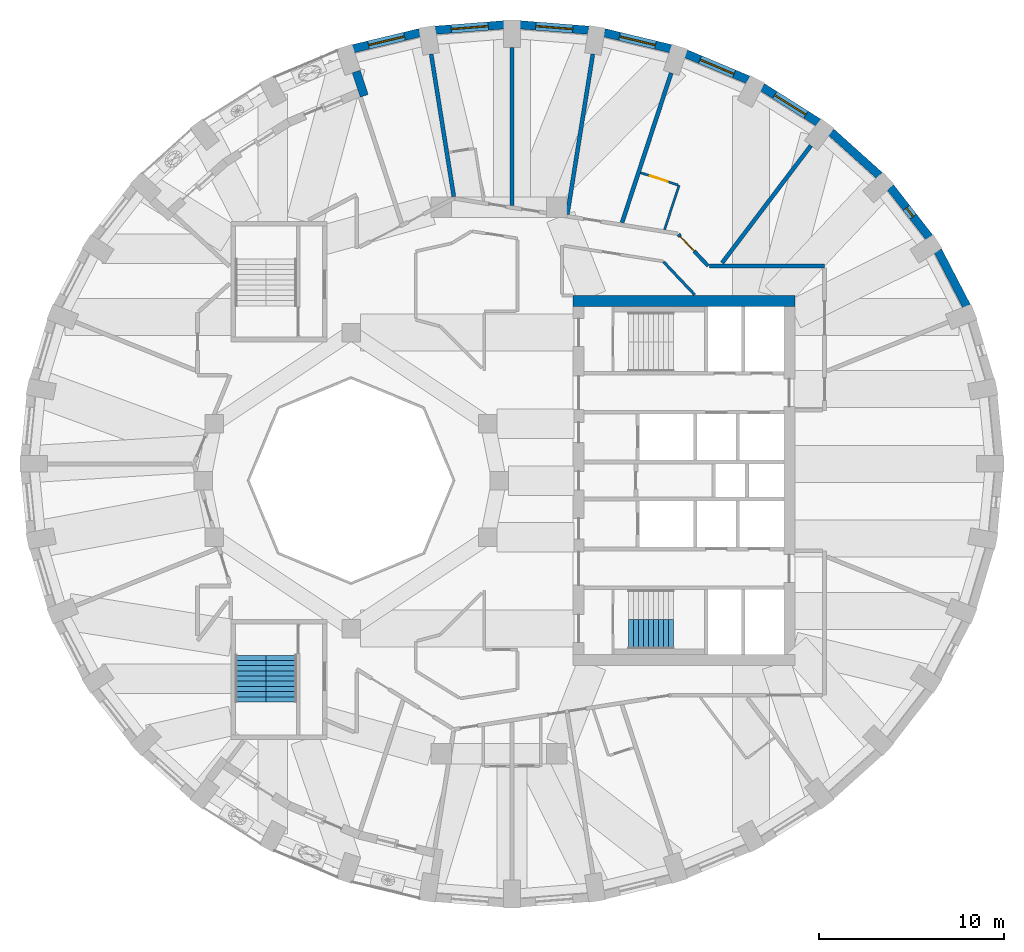
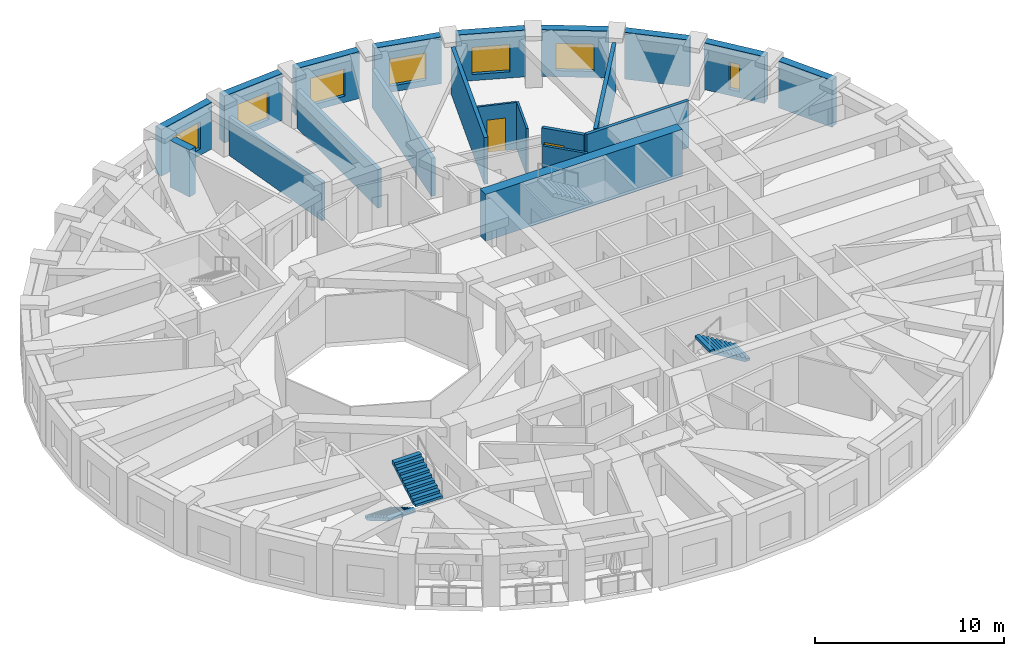
# One storey, part 8 of 12: 21 walls, 7 windows, 3 stair flights, 2 doors, 9 openings, 2 elements without a shape of their own.
"""IFC4 building model written with IfcOpenShell, lengths in metres."""

from ifc_helpers import new_model, si_unit, direction, frame, frame_2d, origin, place, context, subcontext, project, spatial, polyline, rectangle, outline, extrude, material, layer, layer_set, type_object, element, fill, aggregate, save


model = new_model("IFC4")

# Units and contexts
model_context = context("Model", 3, precision=1e-05, world=origin(), true_north=direction((0.0, 1.0)))
body_context = subcontext(model_context, "Body", "Model", "MODEL_VIEW")
ifc_project = project(units=[si_unit("LENGTHUNIT", "METRE"), si_unit("AREAUNIT", "SQUARE_METRE"), si_unit("VOLUMEUNIT", "CUBIC_METRE"), si_unit("PLANEANGLEUNIT", "RADIAN"), si_unit("MASSUNIT", "GRAM", prefix="KILO")], contexts=[model_context])

# Site, building, storey
site_placement = place(None, origin())
site = spatial("IfcSite", under=ifc_project, at=site_placement, CompositionType="ELEMENT")
building_placement = place(site_placement, origin())
building = spatial("IfcBuilding", under=site, at=building_placement, Name="Taillehof Tower", CompositionType="ELEMENT")
storey_placement = place(building_placement, frame((0.0, 0.0, 209.0)))
storey = spatial("IfcBuildingStorey", under=building, at=storey_placement, Name="L59", CompositionType="ELEMENT", Elevation=209.0)

# Wall
ifc_material_1 = material(Name="Brick masonry", Category="masonry")
ifc_layer_1 = layer(ifc_material_1, 0.449951171875)
ifc_layer_set_1 = layer_set([ifc_layer_1], Name="Brick infill wall 450")
wall_type_1 = type_object("IfcWallType", Name="Brick infill wall 450", PredefinedType="SOLIDWALL", material=ifc_layer_set_1)
wall_1_placement = place(storey_placement, frame((25.278076171875, 9.431640625, 0.0), z_axis=(0.0, 0.0, 1.0), x_axis=(-0.460175500475, 0.887827972505, 0.0)))
element("IfcWall", 1, at=wall_1_placement, inside=storey, type_object=wall_type_1, Name="Brick wall L59 bay 3", PredefinedType="SOLIDWALL", context=body_context, shape_type="SweptSolid", body=[
    extrude(rectangle(XDim=3.37060546875, YDim=0.449951171875, at=frame_2d((1.685302734375, 0.0))), origin(), (0.0, 0.0, 1.0), 3.02001953125),
])

# Wall, opening, window
wall_2_placement = place(storey_placement, frame((23.262939453125, 13.148193359375, 0.0), z_axis=(0.0, 0.0, 1.0), x_axis=(-0.614220816451, 0.789134201919, 0.0)))
wall_2 = element("IfcWall", 2, at=wall_2_placement, inside=storey, type_object=wall_type_1, Name="Brick wall L59 bay 4", PredefinedType="SOLIDWALL", context=body_context, shape_type="SweptSolid", body=[
    extrude(rectangle(XDim=3.437744140625, YDim=0.449951171875, at=frame_2d((1.71875, 0.0))), origin(), (0.0, 0.0, 1.0), 3.02001953125),
])
opening_1_placement = place(wall_2_placement, frame((1.4189453125, 0.0, 0.39990234375)))
opening_1 = element("IfcOpeningElement", 3, at=opening_1_placement, cuts=wall_2, Name="Opening W6", PredefinedType="OPENING", context=body_context, shape_type="SweptSolid", body=[
    extrude(rectangle(XDim=0.60009765625, YDim=1.75, at=frame_2d((0.300048828125, 0.875))), frame((0.0, 0.23486328125, 0.0), z_axis=(0.0, -1.0, 0.0), x_axis=(1.0, 0.0, 0.0)), (0.0, 0.0, 1.0), 0.469970703125),
])
ifc_material_2 = material(Name="Aluminium window frame with clear double glazing", Category="aluminium")
window_type_1 = type_object("IfcWindowType", Name="Slot window 600x1750", PartitioningType="SINGLE_PANEL", PredefinedType="WINDOW", material=ifc_material_2)
window_1_placement = place(opening_1_placement, origin())
window_1 = element("IfcWindow", 4, at=window_1_placement, inside=storey, type_object=window_type_1, Name="W6", OverallHeight=1.75, OverallWidth=0.60009765625, PartitioningType="SINGLE_PANEL", PredefinedType="WINDOW", context=body_context, shape_type="SweptSolid", body=[
    extrude(rectangle(XDim=0.60009765625, YDim=1.75, at=frame_2d((0.300048828125, 0.875))), frame((0.0, 0.034912109375, 0.0), z_axis=(0.0, -1.0, 0.0), x_axis=(1.0, 0.0, 0.0)), (0.0, 0.0, 1.0), 0.06005859375),
])
fill(opening_1, window_1)

# Wall
wall_3_placement = place(storey_placement, frame((20.56494140625, 16.490478515625, 0.0), z_axis=(0.0, 0.0, 1.0), x_axis=(-0.743442727602, 0.668799604348, 0.0)))
element("IfcWall", 5, at=wall_3_placement, inside=storey, type_object=wall_type_1, Name="Brick wall L59 bay 5", PredefinedType="SOLIDWALL", context=body_context, shape_type="SweptSolid", body=[
    extrude(rectangle(XDim=3.5126953125, YDim=0.449951171875, at=frame_2d((1.75634765625, 0.0))), origin(), (0.0, 0.0, 1.0), 3.02001953125),
])

# Wall, opening, window
wall_4_placement = place(storey_placement, frame((17.26708984375, 19.3583984375, 0.0), z_axis=(0.0, 0.0, 1.0), x_axis=(-0.846119146727, 0.532993798783, 0.0)))
wall_4 = element("IfcWall", 6, at=wall_4_placement, inside=storey, type_object=wall_type_1, Name="Brick wall L59 bay 6", PredefinedType="SOLIDWALL", context=body_context, shape_type="SweptSolid", body=[
    extrude(rectangle(XDim=3.586669921875, YDim=0.449951171875, at=frame_2d((1.79345703125, 0.0))), origin(), (0.0, 0.0, 1.0), 3.02001953125),
])
opening_2_placement = place(wall_4_placement, frame((0.79345703125, 0.0, 0.39990234375)))
opening_2 = element("IfcOpeningElement", 7, at=opening_2_placement, cuts=wall_4, Name="Opening W2", PredefinedType="OPENING", context=body_context, shape_type="SweptSolid", body=[
    extrude(rectangle(XDim=2.0, YDim=1.75, at=frame_2d((1.0, 0.875))), frame((0.0, 0.23486328125, 0.0), z_axis=(0.0, -1.0, 0.0), x_axis=(1.0, 0.0, 0.0)), (0.0, 0.0, 1.0), 0.469970703125),
])
ifc_material_3 = material(Name="Aluminium window frame with clear double glazing", Category="aluminium")
window_type_2 = type_object("IfcWindowType", Name="Deep-set window 2000x1750", PartitioningType="SINGLE_PANEL", PredefinedType="WINDOW", material=ifc_material_3)
window_2_placement = place(opening_2_placement, origin())
window_2 = element("IfcWindow", 8, at=window_2_placement, inside=storey, type_object=window_type_2, Name="W2", OverallHeight=1.75, OverallWidth=2.0, PartitioningType="SINGLE_PANEL", PredefinedType="WINDOW", context=body_context, shape_type="SweptSolid", body=[
    extrude(rectangle(XDim=2.0, YDim=1.75, at=frame_2d((1.0, 0.875))), frame((0.0, 0.034912109375, 0.0), z_axis=(0.0, -1.0, 0.0), x_axis=(1.0, 0.0, 0.0)), (0.0, 0.0, 1.0), 0.06005859375),
])
fill(opening_2, window_2)

wall_5_placement = place(storey_placement, frame((13.46923828125, 21.6669921875, 0.0), z_axis=(0.0, 0.0, 1.0), x_axis=(-0.922168222612, 0.386789050006, 0.0)))
wall_5 = element("IfcWall", 9, at=wall_5_placement, inside=storey, type_object=wall_type_1, Name="Brick wall L59 bay 7", PredefinedType="SOLIDWALL", context=body_context, shape_type="SweptSolid", body=[
    extrude(rectangle(XDim=3.65087890625, YDim=0.449951171875, at=frame_2d((1.825439453125, 0.0))), origin(), (0.0, 0.0, 1.0), 3.02001953125),
])
opening_3_placement = place(wall_5_placement, frame((0.825439453125, 0.0, 0.39990234375)))
opening_3 = element("IfcOpeningElement", 10, at=opening_3_placement, cuts=wall_5, Name="Opening W2", PredefinedType="OPENING", context=body_context, shape_type="SweptSolid", body=[
    extrude(rectangle(XDim=2.0, YDim=1.75, at=frame_2d((1.0, 0.875))), frame((0.0, 0.23486328125, 0.0), z_axis=(0.0, -1.0, 0.0), x_axis=(1.0, 0.0, 0.0)), (0.0, 0.0, 1.0), 0.469970703125),
])
window_3_placement = place(opening_3_placement, origin())
window_3 = element("IfcWindow", 11, at=window_3_placement, inside=storey, type_object=window_type_2, Name="W2", OverallHeight=1.75, OverallWidth=2.0, PartitioningType="SINGLE_PANEL", PredefinedType="WINDOW", context=body_context, shape_type="SweptSolid", body=[
    extrude(rectangle(XDim=2.0, YDim=1.75, at=frame_2d((1.0, 0.875))), frame((0.0, 0.034912109375, 0.0), z_axis=(0.0, -1.0, 0.0), x_axis=(1.0, 0.0, 0.0)), (0.0, 0.0, 1.0), 0.06005859375),
])
fill(opening_3, window_3)

wall_6_placement = place(storey_placement, frame((9.285400390625, 23.34716796875, 0.0), z_axis=(0.0, 0.0, 1.0), x_axis=(-0.972173533246, 0.234261864708, 0.0)))
wall_6 = element("IfcWall", 12, at=wall_6_placement, inside=storey, type_object=wall_type_1, Name="Brick wall L59 bay 8", PredefinedType="SOLIDWALL", context=body_context, shape_type="SweptSolid", body=[
    extrude(rectangle(XDim=3.697509765625, YDim=0.449951171875, at=frame_2d((1.8486328125, 0.0))), origin(), (0.0, 0.0, 1.0), 3.02001953125),
])
opening_4_placement = place(wall_6_placement, frame((0.848876953125, 0.0, 0.39990234375)))
opening_4 = element("IfcOpeningElement", 13, at=opening_4_placement, cuts=wall_6, Name="Opening W2", PredefinedType="OPENING", context=body_context, shape_type="SweptSolid", body=[
    extrude(rectangle(XDim=2.0, YDim=1.75, at=frame_2d((1.0, 0.875))), frame((0.0, 0.23486328125, 0.0), z_axis=(0.0, -1.0, 0.0), x_axis=(1.0, 0.0, 0.0)), (0.0, 0.0, 1.0), 0.469970703125),
])
window_4_placement = place(opening_4_placement, origin())
window_4 = element("IfcWindow", 14, at=window_4_placement, inside=storey, type_object=window_type_2, Name="W2", OverallHeight=1.75, OverallWidth=2.0, PartitioningType="SINGLE_PANEL", PredefinedType="WINDOW", context=body_context, shape_type="SweptSolid", body=[
    extrude(rectangle(XDim=2.0, YDim=1.75, at=frame_2d((1.0, 0.875))), frame((0.0, 0.034912109375, 0.0), z_axis=(0.0, -1.0, 0.0), x_axis=(1.0, 0.0, 0.0)), (0.0, 0.0, 1.0), 0.06005859375),
])
fill(opening_4, window_4)

wall_7_placement = place(storey_placement, frame((4.841064453125, 24.348388671875, 0.0), z_axis=(0.0, 0.0, 1.0), x_axis=(-0.996918697878, 0.078441760701, 0.0)))
wall_7 = element("IfcWall", 15, at=wall_7_placement, inside=storey, type_object=wall_type_1, Name="Brick wall L59 bay 9", PredefinedType="SOLIDWALL", context=body_context, shape_type="SweptSolid", body=[
    extrude(rectangle(XDim=3.722412109375, YDim=0.449951171875, at=frame_2d((1.861328125, 0.0))), origin(), (0.0, 0.0, 1.0), 3.02001953125),
])
opening_5_placement = place(wall_7_placement, frame((0.861328125, 0.0, 0.39990234375)))
opening_5 = element("IfcOpeningElement", 16, at=opening_5_placement, cuts=wall_7, Name="Opening W2", PredefinedType="OPENING", context=body_context, shape_type="SweptSolid", body=[
    extrude(rectangle(XDim=2.0, YDim=1.75, at=frame_2d((1.0, 0.875))), frame((0.0, 0.23486328125, 0.0), z_axis=(0.0, -1.0, 0.0), x_axis=(1.0, 0.0, 0.0)), (0.0, 0.0, 1.0), 0.469970703125),
])
window_5_placement = place(opening_5_placement, origin())
window_5 = element("IfcWindow", 17, at=window_5_placement, inside=storey, type_object=window_type_2, Name="W2", OverallHeight=1.75, OverallWidth=2.0, PartitioningType="SINGLE_PANEL", PredefinedType="WINDOW", context=body_context, shape_type="SweptSolid", body=[
    extrude(rectangle(XDim=2.0, YDim=1.75, at=frame_2d((1.0, 0.875))), frame((0.0, 0.034912109375, 0.0), z_axis=(0.0, -1.0, 0.0), x_axis=(1.0, 0.0, 0.0)), (0.0, 0.0, 1.0), 0.06005859375),
])
fill(opening_5, window_5)

wall_8_placement = place(storey_placement, frame((0.27001953125, 24.640380859375, 0.0), z_axis=(0.0, 0.0, 1.0), x_axis=(-0.996919101401, -0.078436632148, 0.0)))
wall_8 = element("IfcWall", 18, at=wall_8_placement, inside=storey, type_object=wall_type_1, Name="Brick wall L59 bay 10", PredefinedType="SOLIDWALL", context=body_context, shape_type="SweptSolid", body=[
    extrude(rectangle(XDim=3.72265625, YDim=0.449951171875, at=frame_2d((1.861328125, 0.0))), origin(), (0.0, 0.0, 1.0), 3.02001953125),
])
opening_6_placement = place(wall_8_placement, frame((0.861328125, 0.0, 0.39990234375)))
opening_6 = element("IfcOpeningElement", 19, at=opening_6_placement, cuts=wall_8, Name="Opening W2", PredefinedType="OPENING", context=body_context, shape_type="SweptSolid", body=[
    extrude(rectangle(XDim=2.0, YDim=1.75, at=frame_2d((1.0, 0.875))), frame((0.0, 0.23486328125, 0.0), z_axis=(0.0, -1.0, 0.0), x_axis=(1.0, 0.0, 0.0)), (0.0, 0.0, 1.0), 0.469970703125),
])
window_6_placement = place(opening_6_placement, origin())
window_6 = element("IfcWindow", 20, at=window_6_placement, inside=storey, type_object=window_type_2, Name="W2", OverallHeight=1.75, OverallWidth=2.0, PartitioningType="SINGLE_PANEL", PredefinedType="WINDOW", context=body_context, shape_type="SweptSolid", body=[
    extrude(rectangle(XDim=2.0, YDim=1.75, at=frame_2d((1.0, 0.875))), frame((0.0, 0.034912109375, 0.0), z_axis=(0.0, -1.0, 0.0), x_axis=(1.0, 0.0, 0.0)), (0.0, 0.0, 1.0), 0.06005859375),
])
fill(opening_6, window_6)

wall_9_placement = place(storey_placement, frame((-4.29052734375, 24.21337890625, 0.0), z_axis=(0.0, 0.0, 1.0), x_axis=(-0.972173533246, -0.234261864708, 0.0)))
wall_9 = element("IfcWall", 21, at=wall_9_placement, inside=storey, type_object=wall_type_1, Name="Brick wall L59 bay 11", PredefinedType="SOLIDWALL", context=body_context, shape_type="SweptSolid", body=[
    extrude(rectangle(XDim=3.697509765625, YDim=0.449951171875, at=frame_2d((1.8486328125, 0.0))), origin(), (0.0, 0.0, 1.0), 3.02001953125),
])
opening_7_placement = place(wall_9_placement, frame((0.848876953125, 0.0, 0.39990234375)))
opening_7 = element("IfcOpeningElement", 22, at=opening_7_placement, cuts=wall_9, Name="Opening W2", PredefinedType="OPENING", context=body_context, shape_type="SweptSolid", body=[
    extrude(rectangle(XDim=2.0, YDim=1.75, at=frame_2d((1.0, 0.875))), frame((0.0, 0.23486328125, 0.0), z_axis=(0.0, -1.0, 0.0), x_axis=(1.0, 0.0, 0.0)), (0.0, 0.0, 1.0), 0.469970703125),
])
window_7_placement = place(opening_7_placement, origin())
window_7 = element("IfcWindow", 23, at=window_7_placement, inside=storey, type_object=window_type_2, Name="W2", OverallHeight=1.75, OverallWidth=2.0, PartitioningType="SINGLE_PANEL", PredefinedType="WINDOW", context=body_context, shape_type="SweptSolid", body=[
    extrude(rectangle(XDim=2.0, YDim=1.75, at=frame_2d((1.0, 0.875))), frame((0.0, 0.034912109375, 0.0), z_axis=(0.0, -1.0, 0.0), x_axis=(1.0, 0.0, 0.0)), (0.0, 0.0, 1.0), 0.06005859375),
])
fill(opening_7, window_7)

# Wall
wall_10_placement = place(storey_placement, frame((-7.722412109375, 22.116943359375, 0.0), z_axis=(0.0, 0.0, 1.0), x_axis=(0.312062715826, -0.950061504005, 0.0)))
element("IfcWall", 24, at=wall_10_placement, inside=storey, type_object=wall_type_1, Name="Brick reveal L59 pocket 3", PredefinedType="SOLIDWALL", context=body_context, shape_type="SweptSolid", body=[
    extrude(rectangle(XDim=1.39013671875, YDim=0.449951171875, at=frame_2d((0.695068359375, 0.0))), origin(), (0.0, 0.0, 1.0), 3.02001953125),
])

# Wall, opening, door
ifc_material_4 = material(Name="Gypsum board on steel studs, two layers each side", Category="steel")
ifc_layer_2 = layer(ifc_material_4, 0.199951171875)
ifc_layer_set_2 = layer_set([ifc_layer_2], Name="Compartment wall corridor 200")
wall_type_2 = type_object("IfcWallType", Name="Compartment wall corridor 200", PredefinedType="PARTITIONING", material=ifc_layer_set_2)
wall_11_placement = place(storey_placement, frame((9.6982421875, 13.303955078125, 0.0), z_axis=(0.0, 0.0, 1.0), x_axis=(0.686553169295, -0.727079600684, 0.0)))
wall_11 = element("IfcWall", 25, at=wall_11_placement, inside=storey, type_object=wall_type_2, Name="Compartment wall", PredefinedType="PARTITIONING", context=body_context, shape_type="SweptSolid", body=[
    extrude(rectangle(XDim=2.343505859375, YDim=0.199951171875, at=frame_2d((1.171875, 0.0))), origin(), (0.0, 0.0, 1.0), 3.02001953125),
])
opening_8_placement = place(wall_11_placement, frame((0.139892578125, 0.0, 0.0)))
opening_8 = element("IfcOpeningElement", 26, at=opening_8_placement, cuts=wall_11, Name="Opening D5940", PredefinedType="OPENING", context=body_context, shape_type="SweptSolid", body=[
    extrude(rectangle(XDim=1.10009765625, YDim=2.10009765625, at=frame_2d((0.550048828125, 1.050048828125))), frame((0.0, 0.10986328125, 0.0), z_axis=(0.0, -1.0, 0.0), x_axis=(1.0, 0.0, 0.0)), (0.0, 0.0, 1.0), 0.219970703125),
])
ifc_material_5 = material(Name="Timber door leaf in steel frame", Category="steel")
door_type_1 = type_object("IfcDoorType", Name="Accessible guest room door EI 30 1100 x 2100", OperationType="SINGLE_SWING_LEFT", PredefinedType="DOOR", material=ifc_material_5)
door_1_placement = place(opening_8_placement, origin())
door_1 = element("IfcDoor", 27, at=door_1_placement, inside=storey, type_object=door_type_1, Name="D5940", OperationType="SINGLE_SWING_RIGHT", OverallHeight=2.10009765625, OverallWidth=1.10009765625, PredefinedType="DOOR", context=body_context, shape_type="SweptSolid", body=[
    extrude(rectangle(XDim=1.10009765625, YDim=2.10009765625, at=frame_2d((0.550048828125, 1.050048828125))), frame((0.0, 0.02490234375, 0.0), z_axis=(0.0, -1.0, 0.0), x_axis=(1.0, 0.0, 0.0)), (0.0, 0.0, 1.0), 0.050048828125),
])
fill(opening_8, door_1)

# Walls
wall_12_placement = place(storey_placement, frame((11.38720703125, 11.60009765625, 0.0), z_axis=(0.0, 0.0, 1.0), x_axis=(1.0, 0.0, 0.0)))
element("IfcWall", 28, at=wall_12_placement, inside=storey, type_object=wall_type_2, Name="Compartment wall", PredefinedType="PARTITIONING", context=body_context, shape_type="SweptSolid", body=[
    extrude(rectangle(XDim=6.212890625, YDim=0.199951171875, at=frame_2d((3.1064453125, 0.0))), origin(), (0.0, 0.0, 1.0), 3.02001953125),
])
ifc_material_6 = material(Name="Gypsum board on double steel studs with mineral wool", Category="steel")
ifc_layer_3 = layer(ifc_material_6, 0.219970703125)
ifc_layer_set_3 = layer_set([ifc_layer_3], Name="Compartment wall guest room 220")
wall_type_3 = type_object("IfcWallType", Name="Compartment wall guest room 220", PredefinedType="PARTITIONING", material=ifc_layer_set_3)
wall_13_placement = place(storey_placement, frame((16.86328125, 18.112548828125, 0.0), z_axis=(0.0, 0.0, 1.0), x_axis=(-0.603628639054, -0.797265618294, 0.0)))
element("IfcWall", 29, at=wall_13_placement, inside=storey, type_object=wall_type_3, Name="Compartment wall", PredefinedType="PARTITIONING", context=body_context, shape_type="SweptSolid", body=[
    extrude(rectangle(XDim=7.96337890625, YDim=0.219970703125, at=frame_2d((3.981689453125, 0.0))), origin(), (0.0, 0.0, 1.0), 3.02001953125),
])
wall_14_placement = place(storey_placement, frame((9.30712890625, 22.035400390625, 0.0), z_axis=(0.0, 0.0, 1.0), x_axis=(-0.311959631661, -0.950095357432, 0.0)))
element("IfcWall", 30, at=wall_14_placement, inside=storey, type_object=wall_type_3, Name="Compartment wall", PredefinedType="PARTITIONING", context=body_context, shape_type="SweptSolid", body=[
    extrude(rectangle(XDim=8.517822265625, YDim=0.219970703125, at=frame_2d((4.2587890625, 0.0))), origin(), (0.0, 0.0, 1.0), 3.02001953125),
])
wall_15_placement = place(storey_placement, frame((5.071044921875, 23.05615234375, 0.0), z_axis=(0.0, 0.0, 1.0), x_axis=(-0.157127996446, -0.987578246385, 0.0)))
element("IfcWall", 31, at=wall_15_placement, inside=storey, type_object=wall_type_3, Name="Compartment wall", PredefinedType="PARTITIONING", context=body_context, shape_type="SweptSolid", body=[
    extrude(rectangle(XDim=8.77734375, YDim=0.219970703125, at=frame_2d((4.388671875, 0.0))), origin(), (0.0, 0.0, 1.0), 2.469970703125),
])
wall_16_placement = place(storey_placement, frame((0.699951171875, 23.39990234375, 0.0), z_axis=(0.0, 0.0, 1.0), x_axis=(0.0, -1.0, 0.0)))
element("IfcWall", 32, at=wall_16_placement, inside=storey, type_object=wall_type_3, Name="Compartment wall", PredefinedType="PARTITIONING", context=body_context, shape_type="SweptSolid", body=[
    extrude(rectangle(XDim=8.52099609375, YDim=0.219970703125, at=frame_2d((4.260498046875, 0.0))), origin(), (0.0, 0.0, 1.0), 2.469970703125),
])
wall_17_placement = place(storey_placement, frame((-3.6708984375, 23.05615234375, 0.0), z_axis=(0.0, 0.0, 1.0), x_axis=(0.157092158108, -0.987583947754, 0.0)))
element("IfcWall", 33, at=wall_17_placement, inside=storey, type_object=wall_type_3, Name="Compartment wall", PredefinedType="PARTITIONING", context=body_context, shape_type="SweptSolid", body=[
    extrude(rectangle(XDim=7.8017578125, YDim=0.219970703125, at=frame_2d((3.90087890625, 0.0))), origin(), (0.0, 0.0, 1.0), 2.469970703125),
])
ifc_material_7 = material(Name="Gypsum board on steel studs, two layers each side", Category="steel")
ifc_layer_4 = layer(ifc_material_7, 0.14990234375)
ifc_layer_set_4 = layer_set([ifc_layer_4], Name="Compartment wall service room 150")
wall_type_4 = type_object("IfcWallType", Name="Compartment wall service room 150", PredefinedType="PARTITIONING", material=ifc_layer_set_4)
wall_18_placement = place(storey_placement, frame((8.896240234375, 11.822998046875, 0.0), z_axis=(0.0, 0.0, 1.0), x_axis=(0.686471254033, -0.727156941373, 0.0)))
element("IfcWall", 34, at=wall_18_placement, inside=storey, type_object=wall_type_4, Name="Compartment wall", PredefinedType="PARTITIONING", context=body_context, shape_type="SweptSolid", body=[
    extrude(rectangle(XDim=2.4482421875, YDim=0.14990234375, at=frame_2d((1.22412109375, 0.0))), origin(), (0.0, 0.0, 1.0), 3.02001953125),
])
ifc_material_8 = material(Name="Concrete C80/95", Category="concrete")
ifc_layer_5 = layer(ifc_material_8, 0.60009765625)
ifc_layer_set_5 = layer_set([ifc_layer_5], Name="Core wall C80/95 600")
wall_type_5 = type_object("IfcWallType", Name="Core wall C80/95 600", PredefinedType="SHEAR", material=ifc_layer_set_5)
wall_19_placement = place(storey_placement, frame((4.0, 9.699951171875, 0.0), z_axis=(0.0, 0.0, 1.0), x_axis=(1.0, 0.0, 0.0)))
element("IfcWall", 35, at=wall_19_placement, inside=storey, type_object=wall_type_5, Name="Core wall CW06", PredefinedType="SHEAR", context=body_context, shape_type="SweptSolid", body=[
    extrude(rectangle(XDim=12.0, YDim=0.60009765625, at=frame_2d((6.0, 0.0))), origin(), (0.0, 0.0, 1.0), 3.02001953125),
])
ifc_material_9 = material(Name="Gypsum board on steel studs, moisture resistant", Category="steel")
ifc_layer_6 = layer(ifc_material_9, 0.1201171875)
ifc_layer_set_6 = layer_set([ifc_layer_6], Name="En-suite wall 120")
wall_type_6 = type_object("IfcWallType", Name="En-suite wall 120", PredefinedType="PARTITIONING", material=ifc_layer_set_6)
wall_20_placement = place(storey_placement, frame((8.9453125, 13.561279296875, 0.0), z_axis=(0.0, 0.0, 1.0), x_axis=(0.311960021399, 0.950095229463, 0.0)))
element("IfcWall", 36, at=wall_20_placement, inside=storey, type_object=wall_type_6, Name="En-suite wall", PredefinedType="PARTITIONING", context=body_context, shape_type="SweptSolid", body=[
    extrude(rectangle(XDim=2.524658203125, YDim=0.1201171875, at=frame_2d((1.26220703125, 0.0))), origin(), (0.0, 0.0, 1.0), 3.02001953125),
])

# Wall, opening, door
wall_21_placement = place(storey_placement, frame((9.67578125, 15.97900390625, 0.0), z_axis=(0.0, 0.0, 1.0), x_axis=(-0.950106513103, 0.311925654217, 0.0)))
wall_21 = element("IfcWall", 37, at=wall_21_placement, inside=storey, type_object=wall_type_6, Name="En-suite wall", PredefinedType="PARTITIONING", context=body_context, shape_type="SweptSolid", body=[
    extrude(rectangle(XDim=2.129638671875, YDim=0.1201171875, at=frame_2d((1.06494140625, 0.0))), origin(), (0.0, 0.0, 1.0), 3.02001953125),
])
opening_9_placement = place(wall_21_placement, frame((0.58984375, 0.0, 0.0)))
opening_9 = element("IfcOpeningElement", 38, at=opening_9_placement, cuts=wall_21, Name="Opening D5941", PredefinedType="OPENING", context=body_context, shape_type="SweptSolid", body=[
    extrude(rectangle(XDim=1.0, YDim=2.10009765625, at=frame_2d((0.5, 1.050048828125))), frame((0.0, 0.070068359375, 0.0), z_axis=(0.0, -1.0, 0.0), x_axis=(1.0, 0.0, 0.0)), (0.0, 0.0, 1.0), 0.14013671875),
])
ifc_material_10 = material(Name="Timber door leaf in steel frame", Category="steel")
door_type_2 = type_object("IfcDoorType", Name="Accessible en-suite door 1000 x 2100", OperationType="SINGLE_SWING_LEFT", PredefinedType="DOOR", material=ifc_material_10)
door_2_placement = place(opening_9_placement, origin())
door_2 = element("IfcDoor", 39, at=door_2_placement, inside=storey, type_object=door_type_2, Name="D5941", OperationType="SINGLE_SWING_LEFT", OverallHeight=2.10009765625, OverallWidth=1.0, PredefinedType="DOOR", context=body_context, shape_type="SweptSolid", body=[
    extrude(rectangle(XDim=1.0, YDim=2.10009765625, at=frame_2d((0.5, 1.050048828125))), frame((0.0, 0.02490234375, 0.0), z_axis=(0.0, -1.0, 0.0), x_axis=(1.0, 0.0, 0.0)), (0.0, 0.0, 1.0), 0.050048828125),
])
fill(opening_9, door_2)

# Stair, stair flight
ifc_material_11 = material(Name="Concrete C40/50", Category="concrete")
stair_type = type_object("IfcStairType", Name="Exit stair half-turn", PredefinedType="HALF_TURN_STAIR", material=ifc_material_11)
stair_1_placement = place(storey_placement, origin())
stair_1 = element("IfcStair", 40, at=stair_1_placement, inside=storey, type_object=stair_type, Name="Exit stair S2", PredefinedType="HALF_TURN_STAIR")
ifc_material_12 = material(Name="Concrete C40/50", Category="concrete")
stair_flight_type_1 = type_object("IfcStairFlightType", Name="Stair flight 1600 riser 165.0 going 270", PredefinedType="STRAIGHT", material=ifc_material_12)
stair_flight_1_placement = place(storey_placement, frame((9.429931640625, -8.300048828125, 1.64990234375), z_axis=(0.0, 0.0, 1.0), x_axis=(-1.0, 0.0, 0.0)))
stair_flight_1 = element("IfcStairFlight", 41, at=stair_flight_1_placement, type_object=stair_flight_type_1, Name="S2 flight 2", NumberOfRisers=10, NumberOfTreads=9, PredefinedType="STRAIGHT", RiserHeight=0.165, TreadLength=0.27, context=body_context, shape_type="SweptSolid", body=[
    extrude(outline(polyline([(0.0, 0.0), (0.0, 0.00537109375), (0.0, 0.0107421875), (0.0, 0.015869140625), (0.0, 0.021240234375), (0.0, 0.026611328125), (0.0, 0.031982421875), (0.0, 0.037353515625), (0.0, 0.04248046875), (0.0, 0.0478515625), (0.0, 0.05322265625), (0.0, 0.05859375), (0.0, 0.06396484375), (0.0, 0.069091796875), (0.0, 0.074462890625), (0.0, 0.079833984375), (0.0, 0.085205078125), (0.0, 0.090576171875), (0.0, 0.095703125), (0.0, 0.10107421875), (0.0, 0.1064453125), (0.0, 0.11181640625), (0.0, 0.1171875), (0.0, 0.122314453125), (0.0, 0.127685546875), (0.0, 0.133056640625), (0.0, 0.138427734375), (0.0, 0.143798828125), (0.0, 0.14892578125), (0.0, 0.154296875), (0.0, 0.15966796875), (0.0, 0.1650390625), (0.27001953125, 0.1650390625), (0.27001953125, 0.330078125), (0.5400390625, 0.330078125), (0.5400390625, 0.4951171875), (0.81005859375, 0.4951171875), (0.81005859375, 0.659912109375), (1.080078125, 0.659912109375), (1.080078125, 0.824951171875), (1.35009765625, 0.824951171875), (1.35009765625, 0.989990234375), (1.6201171875, 0.989990234375), (1.6201171875, 1.155029296875), (1.889892578125, 1.155029296875), (1.889892578125, 1.320068359375), (2.159912109375, 1.320068359375), (2.159912109375, 1.485107421875), (2.429931640625, 1.485107421875), (2.429931640625, 1.479248046875), (2.429931640625, 1.4736328125), (2.429931640625, 1.468017578125), (2.429931640625, 1.46240234375), (2.429931640625, 1.45654296875), (2.429931640625, 1.450927734375), (2.429931640625, 1.4453125), (2.429931640625, 1.439697265625), (2.429931640625, 1.43408203125), (2.429931640625, 1.42822265625), (2.429931640625, 1.422607421875), (2.429931640625, 1.4169921875), (2.429931640625, 1.411376953125), (2.429931640625, 1.40576171875), (2.429931640625, 1.39990234375), (2.429931640625, 1.394287109375), (2.429931640625, 1.388671875), (2.429931640625, 1.383056640625), (2.429931640625, 1.37744140625), (2.429931640625, 1.37158203125), (2.429931640625, 1.365966796875), (2.429931640625, 1.3603515625), (2.429931640625, 1.354736328125), (2.429931640625, 1.348876953125), (2.429931640625, 1.34326171875), (2.429931640625, 1.337646484375), (2.429931640625, 1.33203125), (2.429931640625, 1.326416015625), (2.429931640625, 1.320556640625), (2.429931640625, 1.31494140625), (2.429931640625, 1.309326171875), (0.287353515625, 0.0), (0.0, 0.0)])), frame((0.0, 0.800048828125, 0.0), z_axis=(0.0, -1.0, 0.0), x_axis=(1.0, 0.0, 0.0)), (0.0, 0.0, 1.0), 1.6),
])
aggregate(stair_1, [stair_flight_1])

# Stair, stair flights
stair_2_placement = place(storey_placement, origin())
stair_2 = element("IfcStair", 42, at=stair_2_placement, inside=storey, type_object=stair_type, Name="Exit stair S4", PredefinedType="HALF_TURN_STAIR")
ifc_material_13 = material(Name="Concrete C40/50", Category="concrete")
stair_flight_type_2 = type_object("IfcStairFlightType", Name="Stair flight 1650 riser 165.0 going 280", PredefinedType="STRAIGHT", material=ifc_material_13)
stair_flight_2_placement = place(storey_placement, frame((-13.425048828125, -9.449951171875, 0.0), z_axis=(0.0, 0.0, 1.0), x_axis=(0.0, -1.0, 0.0)))
stair_flight_2 = element("IfcStairFlight", 43, at=stair_flight_2_placement, type_object=stair_flight_type_2, Name="S4 flight 1", NumberOfRisers=10, NumberOfTreads=9, PredefinedType="STRAIGHT", RiserHeight=0.165, TreadLength=0.28, context=body_context, shape_type="SweptSolid", body=[
    extrude(outline(polyline([(0.0, 0.0), (0.0, 0.00537109375), (0.0, 0.0107421875), (0.0, 0.015869140625), (0.0, 0.021240234375), (0.0, 0.026611328125), (0.0, 0.031982421875), (0.0, 0.037353515625), (0.0, 0.04248046875), (0.0, 0.0478515625), (0.0, 0.05322265625), (0.0, 0.05859375), (0.0, 0.06396484375), (0.0, 0.069091796875), (0.0, 0.074462890625), (0.0, 0.079833984375), (0.0, 0.085205078125), (0.0, 0.090576171875), (0.0, 0.095703125), (0.0, 0.10107421875), (0.0, 0.1064453125), (0.0, 0.11181640625), (0.0, 0.1171875), (0.0, 0.122314453125), (0.0, 0.127685546875), (0.0, 0.133056640625), (0.0, 0.138427734375), (0.0, 0.143798828125), (0.0, 0.14892578125), (0.0, 0.154296875), (0.0, 0.15966796875), (0.0, 0.1650390625), (0.280029296875, 0.1650390625), (0.280029296875, 0.330078125), (0.56005859375, 0.330078125), (0.56005859375, 0.4951171875), (0.840087890625, 0.4951171875), (0.840087890625, 0.659912109375), (1.1201171875, 0.659912109375), (1.1201171875, 0.824951171875), (1.39990234375, 0.824951171875), (1.39990234375, 0.989990234375), (1.679931640625, 0.989990234375), (1.679931640625, 1.155029296875), (1.9599609375, 1.155029296875), (1.9599609375, 1.320068359375), (2.239990234375, 1.320068359375), (2.239990234375, 1.485107421875), (2.52001953125, 1.485107421875), (2.52001953125, 1.4794921875), (2.52001953125, 1.473876953125), (2.52001953125, 1.46826171875), (2.52001953125, 1.462646484375), (2.52001953125, 1.45703125), (2.52001953125, 1.451416015625), (2.52001953125, 1.44580078125), (2.52001953125, 1.440185546875), (2.52001953125, 1.4345703125), (2.52001953125, 1.428955078125), (2.52001953125, 1.42333984375), (2.52001953125, 1.417724609375), (2.52001953125, 1.412109375), (2.52001953125, 1.406494140625), (2.52001953125, 1.40087890625), (2.52001953125, 1.395263671875), (2.52001953125, 1.3896484375), (2.52001953125, 1.384033203125), (2.52001953125, 1.37841796875), (2.52001953125, 1.372802734375), (2.52001953125, 1.3671875), (2.52001953125, 1.361572265625), (2.52001953125, 1.35595703125), (2.52001953125, 1.350341796875), (2.52001953125, 1.3447265625), (2.52001953125, 1.339111328125), (2.52001953125, 1.33349609375), (2.52001953125, 1.327880859375), (2.52001953125, 1.322265625), (2.52001953125, 1.316650390625), (2.52001953125, 1.31103515625), (0.295166015625, 0.0), (0.0, 0.0)])), frame((0.0, 0.824951171875, 0.0), z_axis=(0.0, -1.0, 0.0), x_axis=(1.0, 0.0, 0.0)), (0.0, 0.0, 1.0), 1.65),
])
stair_flight_3_placement = place(storey_placement, frame((-11.77490234375, -11.969970703125, 1.64990234375), z_axis=(0.0, 0.0, 1.0), x_axis=(0.0, 1.0, 0.0)))
stair_flight_3 = element("IfcStairFlight", 44, at=stair_flight_3_placement, type_object=stair_flight_type_2, Name="S4 flight 2", NumberOfRisers=10, NumberOfTreads=9, PredefinedType="STRAIGHT", RiserHeight=0.165, TreadLength=0.28, context=body_context, shape_type="SweptSolid", body=[
    extrude(outline(polyline([(0.0, 0.0), (0.0, 0.00537109375), (0.0, 0.0107421875), (0.0, 0.015869140625), (0.0, 0.021240234375), (0.0, 0.026611328125), (0.0, 0.031982421875), (0.0, 0.037353515625), (0.0, 0.04248046875), (0.0, 0.0478515625), (0.0, 0.05322265625), (0.0, 0.05859375), (0.0, 0.06396484375), (0.0, 0.069091796875), (0.0, 0.074462890625), (0.0, 0.079833984375), (0.0, 0.085205078125), (0.0, 0.090576171875), (0.0, 0.095703125), (0.0, 0.10107421875), (0.0, 0.1064453125), (0.0, 0.11181640625), (0.0, 0.1171875), (0.0, 0.122314453125), (0.0, 0.127685546875), (0.0, 0.133056640625), (0.0, 0.138427734375), (0.0, 0.143798828125), (0.0, 0.14892578125), (0.0, 0.154296875), (0.0, 0.15966796875), (0.0, 0.1650390625), (0.280029296875, 0.1650390625), (0.280029296875, 0.330078125), (0.56005859375, 0.330078125), (0.56005859375, 0.4951171875), (0.840087890625, 0.4951171875), (0.840087890625, 0.659912109375), (1.1201171875, 0.659912109375), (1.1201171875, 0.824951171875), (1.39990234375, 0.824951171875), (1.39990234375, 0.989990234375), (1.679931640625, 0.989990234375), (1.679931640625, 1.155029296875), (1.9599609375, 1.155029296875), (1.9599609375, 1.320068359375), (2.239990234375, 1.320068359375), (2.239990234375, 1.485107421875), (2.52001953125, 1.485107421875), (2.52001953125, 1.4794921875), (2.52001953125, 1.473876953125), (2.52001953125, 1.46826171875), (2.52001953125, 1.462646484375), (2.52001953125, 1.45703125), (2.52001953125, 1.451416015625), (2.52001953125, 1.44580078125), (2.52001953125, 1.440185546875), (2.52001953125, 1.4345703125), (2.52001953125, 1.428955078125), (2.52001953125, 1.42333984375), (2.52001953125, 1.417724609375), (2.52001953125, 1.412109375), (2.52001953125, 1.406494140625), (2.52001953125, 1.40087890625), (2.52001953125, 1.395263671875), (2.52001953125, 1.3896484375), (2.52001953125, 1.384033203125), (2.52001953125, 1.37841796875), (2.52001953125, 1.372802734375), (2.52001953125, 1.3671875), (2.52001953125, 1.361572265625), (2.52001953125, 1.35595703125), (2.52001953125, 1.350341796875), (2.52001953125, 1.3447265625), (2.52001953125, 1.339111328125), (2.52001953125, 1.33349609375), (2.52001953125, 1.327880859375), (2.52001953125, 1.322265625), (2.52001953125, 1.316650390625), (2.52001953125, 1.31103515625), (0.295166015625, 0.0), (0.0, 0.0)])), frame((0.0, 0.824951171875, 0.0), z_axis=(0.0, -1.0, 0.0), x_axis=(1.0, 0.0, 0.0)), (0.0, 0.0, 1.0), 1.65),
])
aggregate(stair_2, [stair_flight_2, stair_flight_3])

save(model, "model.ifc")
